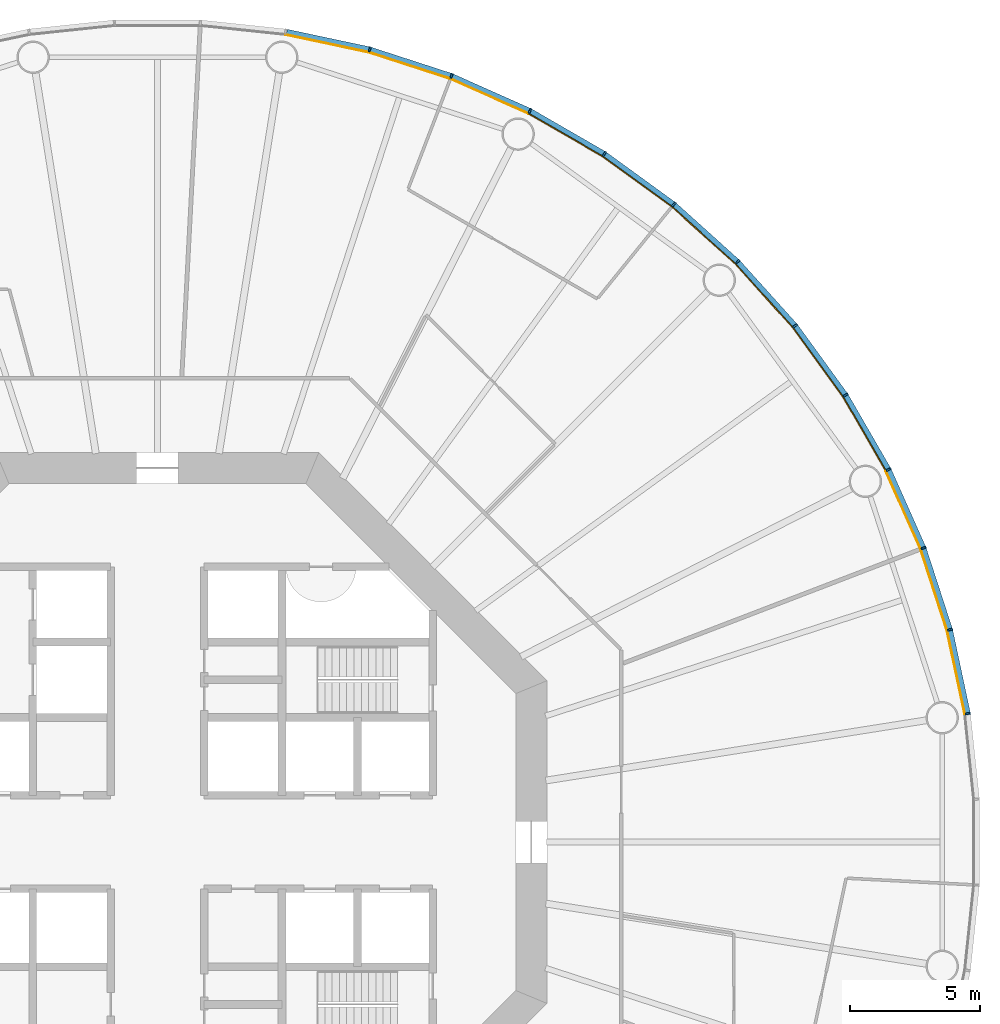
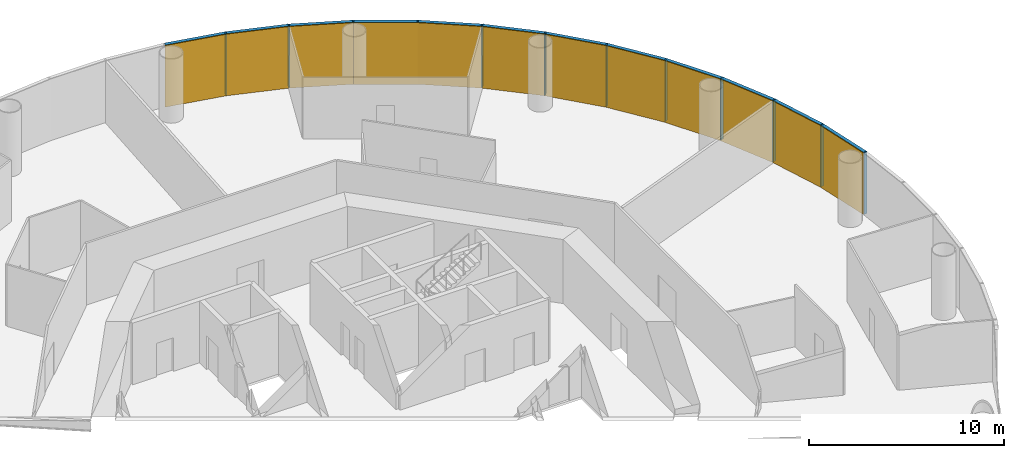
# One storey, part 12 of 13: 24 members, 4 curtain walls.
"""IFC4 building model written with IfcOpenShell, lengths in metres."""

from ifc_helpers import new_model, si_unit, direction, frame, origin, origin_2d, place, context, subcontext, project, spatial, polyline, rectangle, outline, extrude, material, layer, layer_set, material_profile, profile_set, type_object, element, aggregate, save


model = new_model("IFC4")

# Units and contexts
model_context = context("Model", 3, precision=1e-05, world=origin(), true_north=direction((0.0, 1.0)))
body_context = subcontext(model_context, "Body", "Model", "MODEL_VIEW")
ifc_project = project(units=[si_unit("LENGTHUNIT", "METRE"), si_unit("AREAUNIT", "SQUARE_METRE"), si_unit("VOLUMEUNIT", "CUBIC_METRE"), si_unit("PLANEANGLEUNIT", "RADIAN"), si_unit("MASSUNIT", "GRAM", prefix="KILO")], contexts=[model_context])

# Member
ifc_material_1 = material(Name="Anodised aluminium", Category="aluminium")
ifc_material_profile_1 = material_profile(ifc_material_1, rectangle(XDim=0.070068359375, YDim=0.199951171875, at=origin_2d()), Name="Mullion 70 x 200 mm anodised aluminium")
ifc_profile_set_1 = profile_set([ifc_material_profile_1], Name="Anodised aluminium")
member_type_1 = type_object("IfcMemberType", Name="Mullion 70 x 200 mm anodised aluminium", PredefinedType="MULLION", material=ifc_profile_set_1)
site_placement = place(None, origin())
building_placement = place(site_placement, origin())
storey_placement = place(building_placement, frame((0.0, 0.0, 88.0)))
member_1_placement = place(storey_placement, frame((121.2109375, 84.943359375, 0.0), z_axis=(0.0, 0.0, 1.0), x_axis=(-0.15643446504, 0.987688340595, 0.0)))
member_1 = element("IfcMember", 1, at=member_1_placement, type_object=member_type_1, Name="MULLION L19-00", PredefinedType="MULLION", context=body_context, shape_type="SweptSolid", body=[
    extrude(rectangle(XDim=0.070068359375, YDim=0.199951171875, at=origin_2d()), origin(), (0.0, 0.0, 1.0), 3.85009765625),
])

member_2_placement = place(storey_placement, frame((120.523193359375, 88.1787109375, 0.0), z_axis=(0.0, 0.0, 1.0), x_axis=(-0.258819045103, 0.965925826289, 0.0)))
member_2 = element("IfcMember", 2, at=member_2_placement, type_object=member_type_1, Name="MULLION L19-01", PredefinedType="MULLION", context=body_context, shape_type="SweptSolid", body=[
    extrude(rectangle(XDim=0.070068359375, YDim=0.199951171875, at=origin_2d()), origin(), (0.0, 0.0, 1.0), 3.85009765625),
])

member_3_placement = place(storey_placement, frame((119.501220703125, 91.324462890625, 0.0), z_axis=(0.0, 0.0, 1.0), x_axis=(-0.358367949545, 0.933580426497, 0.0)))
member_3 = element("IfcMember", 3, at=member_3_placement, type_object=member_type_1, Name="MULLION L19-02", PredefinedType="MULLION", context=body_context, shape_type="SweptSolid", body=[
    extrude(rectangle(XDim=0.070068359375, YDim=0.199951171875, at=origin_2d()), origin(), (0.0, 0.0, 1.0), 3.85009765625),
])

member_4_placement = place(storey_placement, frame((118.15576171875, 94.34619140625, 0.0), z_axis=(0.0, 0.0, 1.0), x_axis=(-0.45399049974, 0.891006524188, 0.0)))
member_4 = element("IfcMember", 4, at=member_4_placement, type_object=member_type_1, Name="MULLION L19-03", PredefinedType="MULLION", context=body_context, shape_type="SweptSolid", body=[
    extrude(rectangle(XDim=0.070068359375, YDim=0.199951171875, at=origin_2d()), origin(), (0.0, 0.0, 1.0), 3.85009765625),
])

member_5_placement = place(storey_placement, frame((116.501953125, 97.210693359375, 0.0), z_axis=(0.0, 0.0, 1.0), x_axis=(-0.544639035015, 0.838670567945, 0.0)))
member_5 = element("IfcMember", 5, at=member_5_placement, type_object=member_type_1, Name="MULLION L19-04", PredefinedType="MULLION", context=body_context, shape_type="SweptSolid", body=[
    extrude(rectangle(XDim=0.070068359375, YDim=0.199951171875, at=origin_2d()), origin(), (0.0, 0.0, 1.0), 3.85009765625),
])

member_6_placement = place(storey_placement, frame((114.557861328125, 99.886474609375, 0.0), z_axis=(0.0, 0.0, 1.0), x_axis=(-0.62932039105, 0.777145961457, 0.0)))
member_6 = element("IfcMember", 6, at=member_6_placement, type_object=member_type_1, Name="MULLION L19-05", PredefinedType="MULLION", context=body_context, shape_type="SweptSolid", body=[
    extrude(rectangle(XDim=0.070068359375, YDim=0.199951171875, at=origin_2d()), origin(), (0.0, 0.0, 1.0), 3.85009765625),
])

member_7_placement = place(storey_placement, frame((112.344482421875, 102.344482421875, 0.0), z_axis=(0.0, 0.0, 1.0), x_axis=(-0.707106781187, 0.707106781187, 0.0)))
member_7 = element("IfcMember", 7, at=member_7_placement, type_object=member_type_1, Name="MULLION L19-06", PredefinedType="MULLION", context=body_context, shape_type="SweptSolid", body=[
    extrude(rectangle(XDim=0.070068359375, YDim=0.199951171875, at=origin_2d()), origin(), (0.0, 0.0, 1.0), 3.85009765625),
])

member_8_placement = place(storey_placement, frame((109.886474609375, 104.557861328125, 0.0), z_axis=(0.0, 0.0, 1.0), x_axis=(-0.777145961457, 0.62932039105, 0.0)))
member_8 = element("IfcMember", 8, at=member_8_placement, type_object=member_type_1, Name="MULLION L19-07", PredefinedType="MULLION", context=body_context, shape_type="SweptSolid", body=[
    extrude(rectangle(XDim=0.070068359375, YDim=0.199951171875, at=origin_2d()), origin(), (0.0, 0.0, 1.0), 3.85009765625),
])

member_9_placement = place(storey_placement, frame((107.210693359375, 106.501953125, 0.0), z_axis=(0.0, 0.0, 1.0), x_axis=(-0.838670567945, 0.544639035015, 0.0)))
member_9 = element("IfcMember", 9, at=member_9_placement, type_object=member_type_1, Name="MULLION L19-08", PredefinedType="MULLION", context=body_context, shape_type="SweptSolid", body=[
    extrude(rectangle(XDim=0.070068359375, YDim=0.199951171875, at=origin_2d()), origin(), (0.0, 0.0, 1.0), 3.85009765625),
])

member_10_placement = place(storey_placement, frame((104.34619140625, 108.15576171875, 0.0), z_axis=(0.0, 0.0, 1.0), x_axis=(-0.891006524188, 0.45399049974, 0.0)))
member_10 = element("IfcMember", 10, at=member_10_placement, type_object=member_type_1, Name="MULLION L19-09", PredefinedType="MULLION", context=body_context, shape_type="SweptSolid", body=[
    extrude(rectangle(XDim=0.070068359375, YDim=0.199951171875, at=origin_2d()), origin(), (0.0, 0.0, 1.0), 3.85009765625),
])

member_11_placement = place(storey_placement, frame((101.324462890625, 109.501220703125, 0.0), z_axis=(0.0, 0.0, 1.0), x_axis=(-0.933580426497, 0.358367949545, 0.0)))
member_11 = element("IfcMember", 11, at=member_11_placement, type_object=member_type_1, Name="MULLION L19-10", PredefinedType="MULLION", context=body_context, shape_type="SweptSolid", body=[
    extrude(rectangle(XDim=0.070068359375, YDim=0.199951171875, at=origin_2d()), origin(), (0.0, 0.0, 1.0), 3.85009765625),
])

member_12_placement = place(storey_placement, frame((98.1787109375, 110.523193359375, 0.0), z_axis=(0.0, 0.0, 1.0), x_axis=(-0.965925826289, 0.258819045103, 0.0)))
member_12 = element("IfcMember", 12, at=member_12_placement, type_object=member_type_1, Name="MULLION L19-11", PredefinedType="MULLION", context=body_context, shape_type="SweptSolid", body=[
    extrude(rectangle(XDim=0.070068359375, YDim=0.199951171875, at=origin_2d()), origin(), (0.0, 0.0, 1.0), 3.85009765625),
])

ifc_material_2 = material(Name="Anodised aluminium", Category="aluminium")
ifc_material_profile_2 = material_profile(ifc_material_2, rectangle(XDim=0.199951171875, YDim=0.18994140625, at=origin_2d()), Name="Transom 190 x 200 mm anodised aluminium")
ifc_profile_set_2 = profile_set([ifc_material_profile_2], Name="Anodised aluminium")
member_type_2 = type_object("IfcMemberType", Name="Transom 190 x 200 mm anodised aluminium", PredefinedType="USERDEFINED", material=ifc_profile_set_2)
member_13_placement = place(storey_placement, frame((121.20263671875, 84.982666015625, 3.7548828125), z_axis=(-0.207885898771, 0.978153082647, 0.0), x_axis=(-0.978153082647, -0.207885898771, 0.0)))
member_13 = element("IfcMember", 13, at=member_13_placement, type_object=member_type_2, Name="TRANSOM L19-00", ObjectType="TRANSOM", PredefinedType="USERDEFINED", context=body_context, shape_type="SweptSolid", body=[
    extrude(rectangle(XDim=0.199951171875, YDim=0.18994140625, at=origin_2d()), origin(), (0.0, 0.0, 1.0), 3.227294921875),
])

member_14_placement = place(storey_placement, frame((120.510986328125, 88.217041015625, 3.7548828125), z_axis=(-0.309046726844, 0.951046855117, 0.0), x_axis=(-0.951046855117, -0.309046726844, 0.0)))
member_14 = element("IfcMember", 14, at=member_14_placement, type_object=member_type_2, Name="TRANSOM L19-01", ObjectType="TRANSOM", PredefinedType="USERDEFINED", context=body_context, shape_type="SweptSolid", body=[
    extrude(rectangle(XDim=0.199951171875, YDim=0.18994140625, at=origin_2d()), origin(), (0.0, 0.0, 1.0), 3.22705078125),
])

member_15_placement = place(storey_placement, frame((119.48486328125, 91.361328125, 3.7548828125), z_axis=(-0.406728032322, 0.913549291349, 0.0), x_axis=(-0.913549291349, -0.406728032322, 0.0)))
member_15 = element("IfcMember", 15, at=member_15_placement, type_object=member_type_2, Name="TRANSOM L19-02", ObjectType="TRANSOM", PredefinedType="USERDEFINED", context=body_context, shape_type="SweptSolid", body=[
    extrude(rectangle(XDim=0.199951171875, YDim=0.18994140625, at=origin_2d()), origin(), (0.0, 0.0, 1.0), 3.22705078125),
])

member_16_placement = place(storey_placement, frame((118.1357421875, 94.381103515625, 3.7548828125), z_axis=(-0.500004055213, 0.866023062494, 0.0), x_axis=(-0.866023062494, -0.500004055213, 0.0)))
member_16 = element("IfcMember", 16, at=member_16_placement, type_object=member_type_2, Name="TRANSOM L19-03", ObjectType="TRANSOM", PredefinedType="USERDEFINED", context=body_context, shape_type="SweptSolid", body=[
    extrude(rectangle(XDim=0.199951171875, YDim=0.18994140625, at=origin_2d()), origin(), (0.0, 0.0, 1.0), 3.22705078125),
])

member_17_placement = place(storey_placement, frame((116.478515625, 97.2431640625, 3.7548828125), z_axis=(-0.587802790201, 0.809004252048, 0.0), x_axis=(-0.809004252048, -0.587802790201, 0.0)))
member_17 = element("IfcMember", 17, at=member_17_placement, type_object=member_type_2, Name="TRANSOM L19-04", ObjectType="TRANSOM", PredefinedType="USERDEFINED", context=body_context, shape_type="SweptSolid", body=[
    extrude(rectangle(XDim=0.199951171875, YDim=0.18994140625, at=origin_2d()), origin(), (0.0, 0.0, 1.0), 3.227294921875),
])

member_18_placement = place(storey_placement, frame((114.531005859375, 99.91650390625, 3.7548828125), z_axis=(-0.669144438484, 0.743132370743, 0.0), x_axis=(-0.743132370743, -0.669144438484, 0.0)))
member_18 = element("IfcMember", 18, at=member_18_placement, type_object=member_type_2, Name="TRANSOM L19-05", ObjectType="TRANSOM", PredefinedType="USERDEFINED", context=body_context, shape_type="SweptSolid", body=[
    extrude(rectangle(XDim=0.199951171875, YDim=0.18994140625, at=origin_2d()), origin(), (0.0, 0.0, 1.0), 3.22705078125),
])

member_19_placement = place(storey_placement, frame((112.314697265625, 102.37158203125, 3.7548828125), z_axis=(-0.743132370743, 0.669144438484, 0.0), x_axis=(-0.669144438484, -0.743132370743, 0.0)))
member_19 = element("IfcMember", 19, at=member_19_placement, type_object=member_type_2, Name="TRANSOM L19-06", ObjectType="TRANSOM", PredefinedType="USERDEFINED", context=body_context, shape_type="SweptSolid", body=[
    extrude(rectangle(XDim=0.199951171875, YDim=0.18994140625, at=origin_2d()), origin(), (0.0, 0.0, 1.0), 3.22705078125),
])

member_20_placement = place(storey_placement, frame((109.85400390625, 104.58154296875, 3.7548828125), z_axis=(-0.809004252048, 0.587802790201, 0.0), x_axis=(-0.587802790201, -0.809004252048, 0.0)))
member_20 = element("IfcMember", 20, at=member_20_placement, type_object=member_type_2, Name="TRANSOM L19-07", ObjectType="TRANSOM", PredefinedType="USERDEFINED", context=body_context, shape_type="SweptSolid", body=[
    extrude(rectangle(XDim=0.199951171875, YDim=0.18994140625, at=origin_2d()), origin(), (0.0, 0.0, 1.0), 3.227294921875),
])

member_21_placement = place(storey_placement, frame((107.17578125, 106.522216796875, 3.7548828125), z_axis=(-0.866023062494, 0.500004055213, 0.0), x_axis=(-0.500004055213, -0.866023062494, 0.0)))
member_21 = element("IfcMember", 21, at=member_21_placement, type_object=member_type_2, Name="TRANSOM L19-08", ObjectType="TRANSOM", PredefinedType="USERDEFINED", context=body_context, shape_type="SweptSolid", body=[
    extrude(rectangle(XDim=0.199951171875, YDim=0.18994140625, at=origin_2d()), origin(), (0.0, 0.0, 1.0), 3.22705078125),
])

member_22_placement = place(storey_placement, frame((104.309326171875, 108.17236328125, 3.7548828125), z_axis=(-0.913549291349, 0.406728032322, 0.0), x_axis=(-0.406728032322, -0.913549291349, 0.0)))
member_22 = element("IfcMember", 22, at=member_22_placement, type_object=member_type_2, Name="TRANSOM L19-09", ObjectType="TRANSOM", PredefinedType="USERDEFINED", context=body_context, shape_type="SweptSolid", body=[
    extrude(rectangle(XDim=0.199951171875, YDim=0.18994140625, at=origin_2d()), origin(), (0.0, 0.0, 1.0), 3.22705078125),
])

member_23_placement = place(storey_placement, frame((101.2861328125, 109.513671875, 3.7548828125), z_axis=(-0.951046855117, 0.309046726844, 0.0), x_axis=(-0.309046726844, -0.951046855117, 0.0)))
member_23 = element("IfcMember", 23, at=member_23_placement, type_object=member_type_2, Name="TRANSOM L19-10", ObjectType="TRANSOM", PredefinedType="USERDEFINED", context=body_context, shape_type="SweptSolid", body=[
    extrude(rectangle(XDim=0.199951171875, YDim=0.18994140625, at=origin_2d()), origin(), (0.0, 0.0, 1.0), 3.22705078125),
])

member_24_placement = place(storey_placement, frame((98.139404296875, 110.53173828125, 3.7548828125), z_axis=(-0.978153082647, 0.207885898771, 0.0), x_axis=(-0.207885898771, -0.978153082647, 0.0)))
member_24 = element("IfcMember", 24, at=member_24_placement, type_object=member_type_2, Name="TRANSOM L19-11", ObjectType="TRANSOM", PredefinedType="USERDEFINED", context=body_context, shape_type="SweptSolid", body=[
    extrude(rectangle(XDim=0.199951171875, YDim=0.18994140625, at=origin_2d()), origin(), (0.0, 0.0, 1.0), 3.227294921875),
])

# Site, building, storey
site = spatial("IfcSite", under=ifc_project, at=site_placement, CompositionType="ELEMENT")
building = spatial("IfcBuilding", under=site, at=building_placement, Name="Entoto Ring Tower", CompositionType="ELEMENT")
storey = spatial("IfcBuildingStorey", under=building, at=storey_placement, Name="L19", CompositionType="ELEMENT", Elevation=88.0)

# Curtain wall
ifc_material_3 = material(Name="Clear low-iron glass", Category="glass")
ifc_layer = layer(ifc_material_3, 0.035888671875)
ifc_layer_set = layer_set([ifc_layer], Name="Clear low-iron glass")
curtain_wall_type = type_object("IfcCurtainWallType", Name="Curtain wall system CW2 glazing 36 mm", PredefinedType="NOTDEFINED", material=ifc_layer_set)
curtain_wall_1_placement = place(storey_placement, origin())
curtain_wall_1 = element("IfcCurtainWall", 25, at=curtain_wall_1_placement, inside=storey, type_object=curtain_wall_type, Name="CW2 L19-01", PredefinedType="NOTDEFINED", context=body_context, shape_type="SweptSolid", body=[
    extrude(outline(polyline([(121.1123046875, 84.927734375), (120.4267578125, 88.15283203125), (119.40771484375, 91.28857421875), (118.066650390625, 94.30078125), (118.03466796875, 94.284423828125), (119.3740234375, 91.275634765625), (120.391845703125, 88.1435546875), (121.07666015625, 84.922119140625), (121.1123046875, 84.927734375)])), origin(), (0.0, 0.0, 1.0), 3.85009765625),
])

aggregate(curtain_wall_1, [member_1, member_2, member_3, member_13, member_14, member_15])

curtain_wall_2_placement = place(storey_placement, origin())
curtain_wall_2 = element("IfcCurtainWall", 26, at=curtain_wall_2_placement, inside=storey, type_object=curtain_wall_type, Name="CW2 L19-02", PredefinedType="NOTDEFINED", context=body_context, shape_type="SweptSolid", body=[
    extrude(outline(polyline([(118.066650390625, 94.30078125), (116.418212890625, 97.15625), (114.47998046875, 99.823486328125), (112.27392578125, 102.27392578125), (112.248291015625, 102.248291015625), (114.4521484375, 99.801025390625), (116.387939453125, 97.136474609375), (118.03466796875, 94.284423828125), (118.066650390625, 94.30078125)])), origin(), (0.0, 0.0, 1.0), 3.85009765625),
])

aggregate(curtain_wall_2, [member_4, member_5, member_6, member_16, member_17, member_18])

curtain_wall_3_placement = place(storey_placement, origin())
curtain_wall_3 = element("IfcCurtainWall", 27, at=curtain_wall_3_placement, inside=storey, type_object=curtain_wall_type, Name="CW2 L19-03", PredefinedType="NOTDEFINED", context=body_context, shape_type="SweptSolid", body=[
    extrude(outline(polyline([(112.27392578125, 102.27392578125), (109.823486328125, 104.47998046875), (107.15625, 106.418212890625), (104.30078125, 108.066650390625), (104.284423828125, 108.03466796875), (107.136474609375, 106.387939453125), (109.801025390625, 104.4521484375), (112.248291015625, 102.248291015625), (112.27392578125, 102.27392578125)])), origin(), (0.0, 0.0, 1.0), 3.85009765625),
])

aggregate(curtain_wall_3, [member_7, member_8, member_9, member_19, member_20, member_21])

curtain_wall_4_placement = place(storey_placement, origin())
curtain_wall_4 = element("IfcCurtainWall", 28, at=curtain_wall_4_placement, inside=storey, type_object=curtain_wall_type, Name="CW2 L19-04", PredefinedType="NOTDEFINED", context=body_context, shape_type="SweptSolid", body=[
    extrude(outline(polyline([(104.30078125, 108.066650390625), (101.28857421875, 109.40771484375), (98.15283203125, 110.4267578125), (94.927734375, 111.1123046875), (94.922119140625, 111.07666015625), (98.1435546875, 110.391845703125), (101.275634765625, 109.3740234375), (104.284423828125, 108.03466796875), (104.30078125, 108.066650390625)])), origin(), (0.0, 0.0, 1.0), 3.85009765625),
])

aggregate(curtain_wall_4, [member_10, member_11, member_12, member_22, member_23, member_24])

save(model, "model.ifc")
